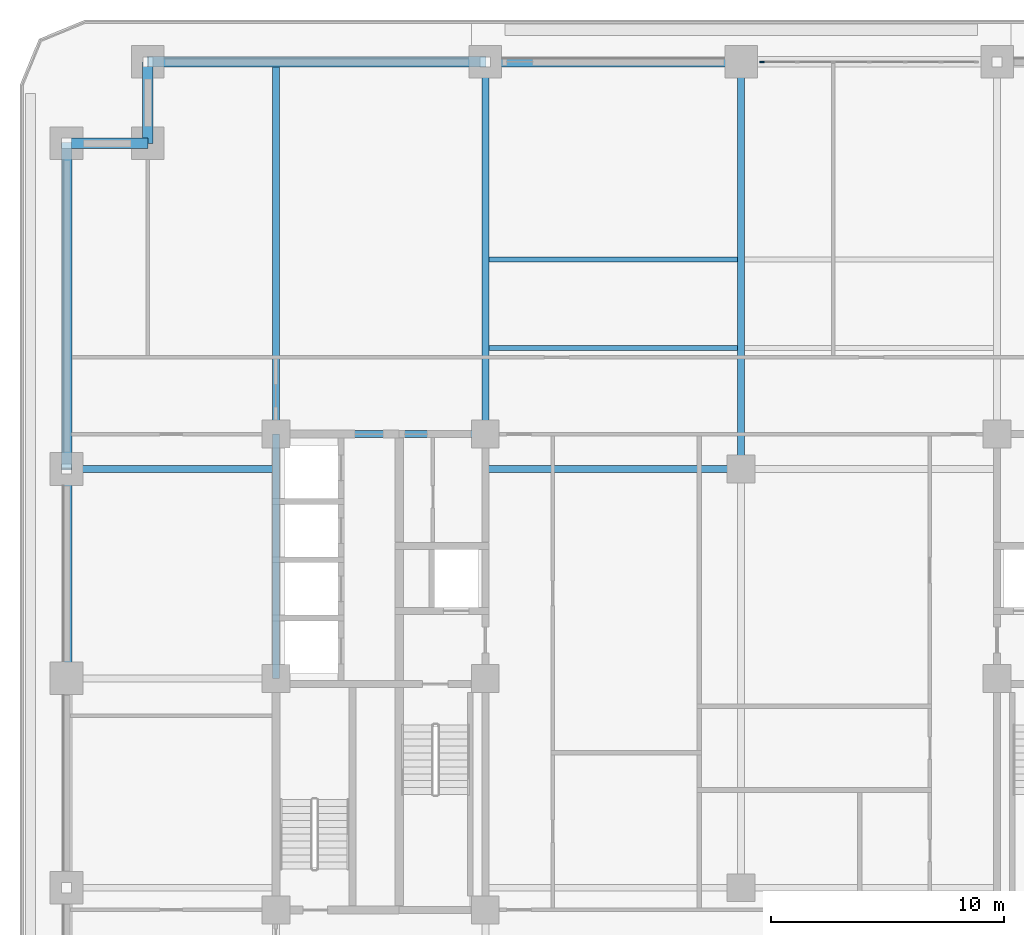
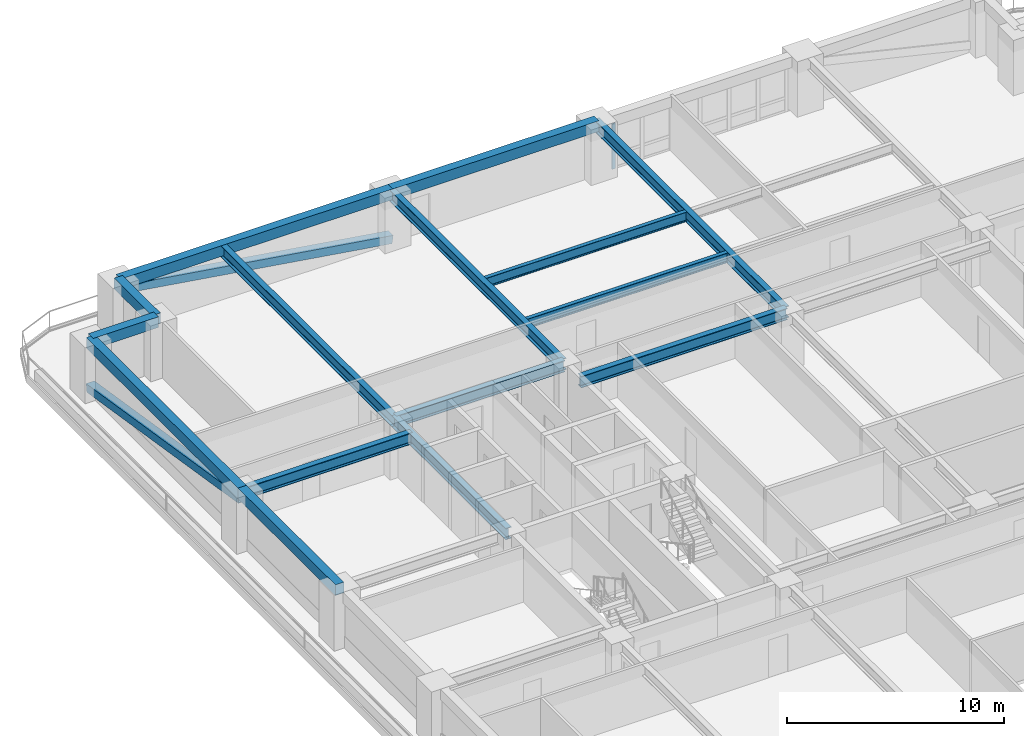
# One storey, part 4 of 18: 15 beams, 3 members, 1 element without a shape of its own.
"""IFC4 building model written with IfcOpenShell, lengths in metres."""

from ifc_helpers import new_model, si_unit, direction, frame, origin, origin_2d, place, context, subcontext, project, spatial, rectangle, hollow_rectangle, i_section, extrude, material, material_profile, profile_set, type_object, element, aggregate, save


model = new_model("IFC4")

# Units and contexts
model_context = context("Model", 3, precision=1e-05, world=origin(), true_north=direction((0.0, 1.0)))
body_context = subcontext(model_context, "Body", "Model", "MODEL_VIEW")
ifc_project = project(units=[si_unit("LENGTHUNIT", "METRE"), si_unit("AREAUNIT", "SQUARE_METRE"), si_unit("VOLUMEUNIT", "CUBIC_METRE"), si_unit("PLANEANGLEUNIT", "RADIAN"), si_unit("MASSUNIT", "GRAM", prefix="KILO")], contexts=[model_context])

# Site, building, storey
site_placement = place(None, origin())
site = spatial("IfcSite", under=ifc_project, at=site_placement, CompositionType="ELEMENT")
building_placement = place(site_placement, origin())
building = spatial("IfcBuilding", under=site, at=building_placement, Name="Zulmaris Gate Convention Tower", CompositionType="ELEMENT")
storey_placement = place(building_placement, frame((0.0, 0.0, 78.60986328125)))
storey = spatial("IfcBuildingStorey", under=building, at=storey_placement, Name="L19", CompositionType="ELEMENT", Elevation=78.60986328125)

# Beams
ifc_material_1 = material(Name="Steel S355", Category="steel")
ifc_material_profile_1 = material_profile(ifc_material_1, i_section(OverallWidth=0.300048828125, OverallDepth=0.64990234375, WebThickness=0.01611328125, FlangeThickness=0.031005859375, FilletRadius=0.027099609375, at=origin_2d()), Name="HEB 650")
ifc_profile_set_1 = profile_set([ifc_material_profile_1], Name="Steel S355")
beam_type_1 = type_object("IfcBeamType", Name="BM-HEB650", PredefinedType="BEAM", material=ifc_profile_set_1)
beam_1_placement = place(storey_placement, frame((-11.0, 9.0, 2.818115234375), z_axis=(1.0, 0.0, 0.0), x_axis=(0.0, 1.0, 0.0)))
element("IfcBeam", 1, at=beam_1_placement, inside=storey, type_object=beam_type_1, Name="L19 Beam BM-L19-G03", PredefinedType="BEAM", context=body_context, shape_type="SweptSolid", body=[
    extrude(i_section(OverallWidth=0.300048828125, OverallDepth=0.64990234375, WebThickness=0.01611328125, FlangeThickness=0.031005859375, FilletRadius=0.027099609375, at=origin_2d()), origin(), (0.0, 0.0, 1.0), 11.0),
])
beam_2_placement = place(storey_placement, frame((0.0, 9.0, 2.818115234375), z_axis=(0.0, 1.0, 0.0), x_axis=(-1.0, 0.0, 0.0)))
element("IfcBeam", 2, at=beam_2_placement, inside=storey, type_object=beam_type_1, Name="L19 Beam BM-L19-G07", PredefinedType="BEAM", context=body_context, shape_type="SweptSolid", body=[
    extrude(i_section(OverallWidth=0.300048828125, OverallDepth=0.64990234375, WebThickness=0.01611328125, FlangeThickness=0.031005859375, FilletRadius=0.027099609375, at=origin_2d()), origin(), (0.0, 0.0, 1.0), 17.5),
])
for number, where, z_axis, x_axis, name in (
    (3, (-11.0, 10.5, 2.818115234375), (0.0, 1.0, 0.0), (-1.0, 0.0, 0.0), "L19 Beam BM-L19-G09"),
    (4, (-20.0, 10.5, 2.818115234375), (0.0, 1.0, 0.0), (-1.0, 0.0, 0.0), "L19 Beam BM-L19-G13"),
):
    element("IfcBeam", number, at=place(storey_placement, frame(where, z_axis=z_axis, x_axis=x_axis)), inside=storey, type_object=beam_type_1, Name=name, PredefinedType="BEAM", context=body_context, shape_type="SweptSolid", body=[
        extrude(i_section(OverallWidth=0.300048828125, OverallDepth=0.64990234375, WebThickness=0.01611328125, FlangeThickness=0.031005859375, FilletRadius=0.027099609375, at=origin_2d()), origin(), (0.0, 0.0, 1.0), 16.0),
    ])
for number, where, z_axis, x_axis, name in (
    (5, (-29.0, 9.0, 2.818115234375), (1.0, 0.0, 0.0), (0.0, 1.0, 0.0), "L19 Beam BM-L19-G18"),
    (6, (-20.0, 10.5, 2.818115234375), (1.0, 0.0, 0.0), (0.0, 1.0, 0.0), "L19 Beam BM-L19-G23"),
):
    element("IfcBeam", number, at=place(storey_placement, frame(where, z_axis=z_axis, x_axis=x_axis)), inside=storey, type_object=beam_type_1, Name=name, PredefinedType="BEAM", context=body_context, shape_type="SweptSolid", body=[
        extrude(i_section(OverallWidth=0.300048828125, OverallDepth=0.64990234375, WebThickness=0.01611328125, FlangeThickness=0.031005859375, FilletRadius=0.027099609375, at=origin_2d()), origin(), (0.0, 0.0, 1.0), 9.0),
    ])
beam_3_placement = place(storey_placement, frame((-20.0, 0.0, 2.818115234375), z_axis=(0.0, 1.0, 0.0), x_axis=(-1.0, 0.0, 0.0)))
element("IfcBeam", 7, at=beam_3_placement, inside=storey, type_object=beam_type_1, Name="L19 Beam BM-L19-G27", PredefinedType="BEAM", context=body_context, shape_type="SweptSolid", body=[
    extrude(i_section(OverallWidth=0.300048828125, OverallDepth=0.64990234375, WebThickness=0.01611328125, FlangeThickness=0.031005859375, FilletRadius=0.027099609375, at=origin_2d()), origin(), (0.0, 0.0, 1.0), 10.5),
])
ifc_material_2 = material(Name="Precast concrete C50/60", Category="concrete")
ifc_material_profile_2 = material_profile(ifc_material_2, rectangle(XDim=0.449951171875, YDim=0.60009765625, at=origin_2d()), Name="RC SPANDREL 450x600")
ifc_profile_set_2 = profile_set([ifc_material_profile_2], Name="Precast concrete C50/60")
beam_type_2 = type_object("IfcBeamType", Name="BM-SP450x600", PredefinedType="SPANDREL", material=ifc_profile_set_2)
beam_4_placement = place(storey_placement, frame((0.0, 26.5, 2.844970703125), z_axis=(-1.0, 0.0, 0.0), x_axis=(0.0, -1.0, 0.0)))
element("IfcBeam", 8, at=beam_4_placement, inside=storey, type_object=beam_type_2, Name="L19 Spandrel SP-L19-15", PredefinedType="SPANDREL", context=body_context, shape_type="SweptSolid", body=[
    extrude(rectangle(XDim=0.449951171875, YDim=0.60009765625, at=origin_2d()), origin(), (0.0, 0.0, 1.0), 11.0),
])
beam_5_placement = place(storey_placement, frame((-11.0, 26.5, 2.844970703125), z_axis=(-1.0, 0.0, 0.0), x_axis=(0.0, -1.0, 0.0)))
element("IfcBeam", 9, at=beam_5_placement, inside=storey, type_object=beam_type_2, Name="L19 Spandrel SP-L19-16", PredefinedType="SPANDREL", context=body_context, shape_type="SweptSolid", body=[
    extrude(rectangle(XDim=0.449951171875, YDim=0.60009765625, at=origin_2d()), origin(), (0.0, 0.0, 1.0), 14.5),
])
for number, where, z_axis, x_axis, name in (
    (10, (-25.5, 26.5, 2.844970703125), (0.0, -1.0, 0.0), (1.0, 0.0, 0.0), "L19 Spandrel SP-L19-17"),
    (11, (-25.5, 23.0, 2.844970703125), (-1.0, 0.0, 0.0), (0.0, -1.0, 0.0), "L19 Spandrel SP-L19-18"),
):
    element("IfcBeam", number, at=place(storey_placement, frame(where, z_axis=z_axis, x_axis=x_axis)), inside=storey, type_object=beam_type_2, Name=name, PredefinedType="SPANDREL", context=body_context, shape_type="SweptSolid", body=[
        extrude(rectangle(XDim=0.449951171875, YDim=0.60009765625, at=origin_2d()), origin(), (0.0, 0.0, 1.0), 3.5),
    ])
beam_6_placement = place(storey_placement, frame((-29.0, 23.0, 2.844970703125), z_axis=(0.0, -1.0, 0.0), x_axis=(1.0, 0.0, 0.0)))
element("IfcBeam", 12, at=beam_6_placement, inside=storey, type_object=beam_type_2, Name="L19 Spandrel SP-L19-19", PredefinedType="SPANDREL", context=body_context, shape_type="SweptSolid", body=[
    extrude(rectangle(XDim=0.449951171875, YDim=0.60009765625, at=origin_2d()), origin(), (0.0, 0.0, 1.0), 14.0),
])
beam_7_placement = place(storey_placement, frame((-29.0, 9.0, 2.844970703125), z_axis=(0.0, -1.0, 0.0), x_axis=(1.0, 0.0, 0.0)))
element("IfcBeam", 13, at=beam_7_placement, inside=storey, type_object=beam_type_2, Name="L19 Spandrel SP-L19-20", PredefinedType="SPANDREL", context=body_context, shape_type="SweptSolid", body=[
    extrude(rectangle(XDim=0.449951171875, YDim=0.60009765625, at=origin_2d()), origin(), (0.0, 0.0, 1.0), 9.0),
])

# Members
ifc_material_3 = material(Name="Steel S460", Category="steel")
ifc_material_profile_3 = material_profile(ifc_material_3, hollow_rectangle(XDim=0.449951171875, YDim=0.449951171875, WallThickness=0.02490234375, at=origin_2d()), Name="SHS 450x450x25")
ifc_profile_set_3 = profile_set([ifc_material_profile_3], Name="Steel S460")
member_type_1 = type_object("IfcMemberType", Name="BR-SHS450", PredefinedType="BRACE", material=ifc_profile_set_3)
member_1_placement = place(storey_placement, frame((-29.0, 23.0, 0.300048828125), z_axis=(0.0, -0.987604102755, 0.156965398167), x_axis=(1.0, 0.0, 0.0)))
element("IfcMember", 14, at=member_1_placement, inside=storey, type_object=member_type_1, Name="L19 Perimeter Tube Diagonal NW-W", PredefinedType="BRACE", context=body_context, shape_type="SweptSolid", body=[
    extrude(hollow_rectangle(XDim=0.449951171875, YDim=0.449951171875, WallThickness=0.02490234375, at=origin_2d()), origin(), (0.0, 0.0, 1.0), 14.17578125),
])
member_2_placement = place(storey_placement, frame((-11.0, 26.5, 0.300048828125), z_axis=(-0.988429729846, 0.0, 0.151679494845), x_axis=(0.0, -1.0, 0.0)))
element("IfcMember", 15, at=member_2_placement, inside=storey, type_object=member_type_1, Name="L19 Perimeter Tube Diagonal NW-N", PredefinedType="BRACE", context=body_context, shape_type="SweptSolid", body=[
    extrude(hollow_rectangle(XDim=0.449951171875, YDim=0.449951171875, WallThickness=0.02490234375, at=origin_2d()), origin(), (0.0, 0.0, 1.0), 14.669677734375),
])

# Curtain wall, member
ifc_material_4 = material(Name="Anodised Aluminium", Category="aluminium")
curtain_wall_type = type_object("IfcCurtainWallType", Name="CW-05", PredefinedType="NOTDEFINED", material=ifc_material_4)
curtain_wall_placement = place(storey_placement, origin())
curtain_wall = element("IfcCurtainWall", 16, at=curtain_wall_placement, inside=storey, type_object=curtain_wall_type, Name="CW-05 CW05-L19-N-2_0", PredefinedType="NOTDEFINED")
ifc_material_profile_4 = material_profile(ifc_material_4, rectangle(XDim=0.074951171875, YDim=0.179931640625, at=origin_2d()), Name="ALU MULLION 75x180")
ifc_profile_set_4 = profile_set([ifc_material_profile_4], Name="Anodised Aluminium")
member_type_2 = type_object("IfcMemberType", Name="CW-05-MULL", PredefinedType="MULLION", material=ifc_profile_set_4)
member_3_placement = place(storey_placement, frame((0.8974609375, 26.5, 0.0), z_axis=(0.0, 0.0, 1.0), x_axis=(0.0, -1.0, 0.0)))
member_3 = element("IfcMember", 17, at=member_3_placement, type_object=member_type_2, Name="CW-05 mullion 7", PredefinedType="MULLION", context=body_context, shape_type="SweptSolid", body=[
    extrude(rectangle(XDim=0.074951171875, YDim=0.179931640625, at=origin_2d()), origin(), (0.0, 0.0, 1.0), 2.537109375),
])
aggregate(curtain_wall, [member_3])

# Beams
ifc_material_profile_5 = material_profile(ifc_material_1, i_section(OverallWidth=0.2099609375, OverallDepth=0.550048828125, WebThickness=0.010986328125, FlangeThickness=0.01708984375, FilletRadius=0.02392578125, at=origin_2d()), Name="IPE 550")
ifc_profile_set_5 = profile_set([ifc_material_profile_5], Name="Steel S355")
beam_type_3 = type_object("IfcBeamType", Name="JT-IPE550", PredefinedType="JOIST", material=ifc_profile_set_5)
for number, where, z_axis, x_axis, name in (
    (18, (-10.85009765625, 14.199951171875, 2.867919921875), (1.0, 0.0, 0.0), (0.0, 1.0, 0.0), "L19 Joist JT-L19-CW-+14.2"),
    (19, (-10.85009765625, 18.0, 2.867919921875), (1.0, 0.0, 0.0), (0.0, 1.0, 0.0), "L19 Joist JT-L19-CW-+18.0"),
):
    element("IfcBeam", number, at=place(storey_placement, frame(where, z_axis=z_axis, x_axis=x_axis)), inside=storey, type_object=beam_type_3, Name=name, PredefinedType="JOIST", context=body_context, shape_type="SweptSolid", body=[
        extrude(i_section(OverallWidth=0.2099609375, OverallDepth=0.550048828125, WebThickness=0.010986328125, FlangeThickness=0.01708984375, FilletRadius=0.02392578125, at=origin_2d()), origin(), (0.0, 0.0, 1.0), 10.7001953125),
    ])

save(model, "model.ifc")
